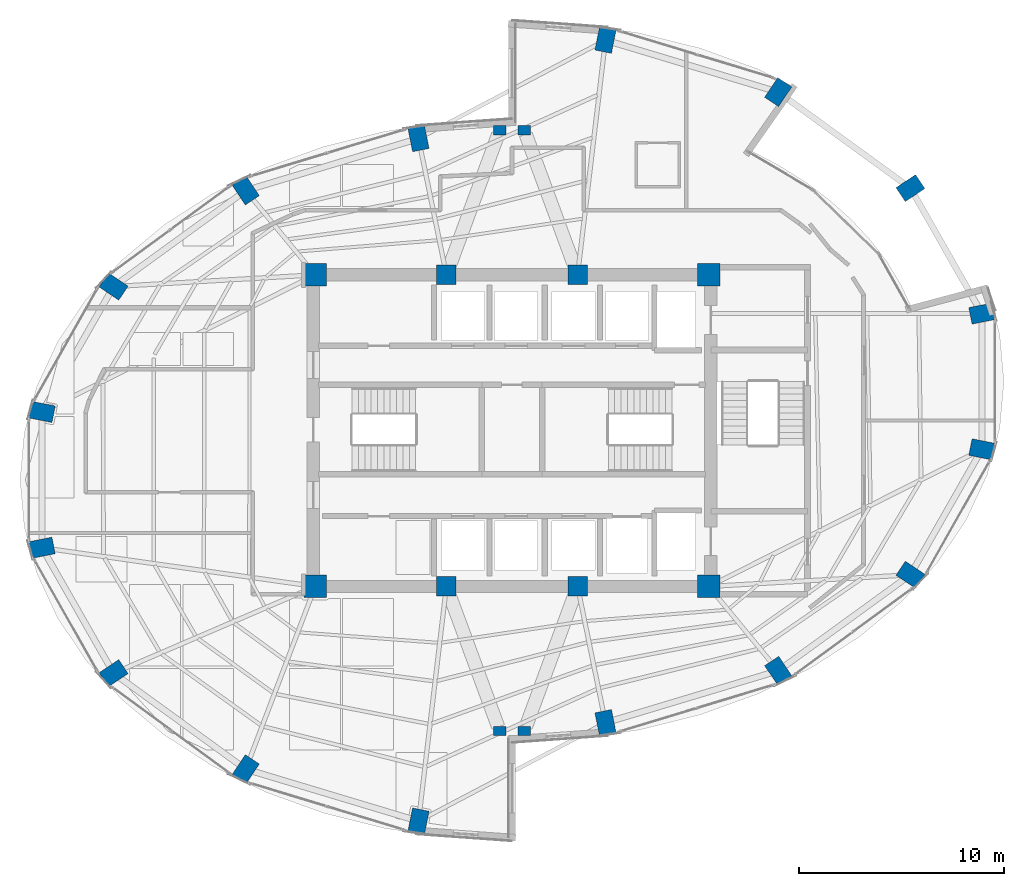
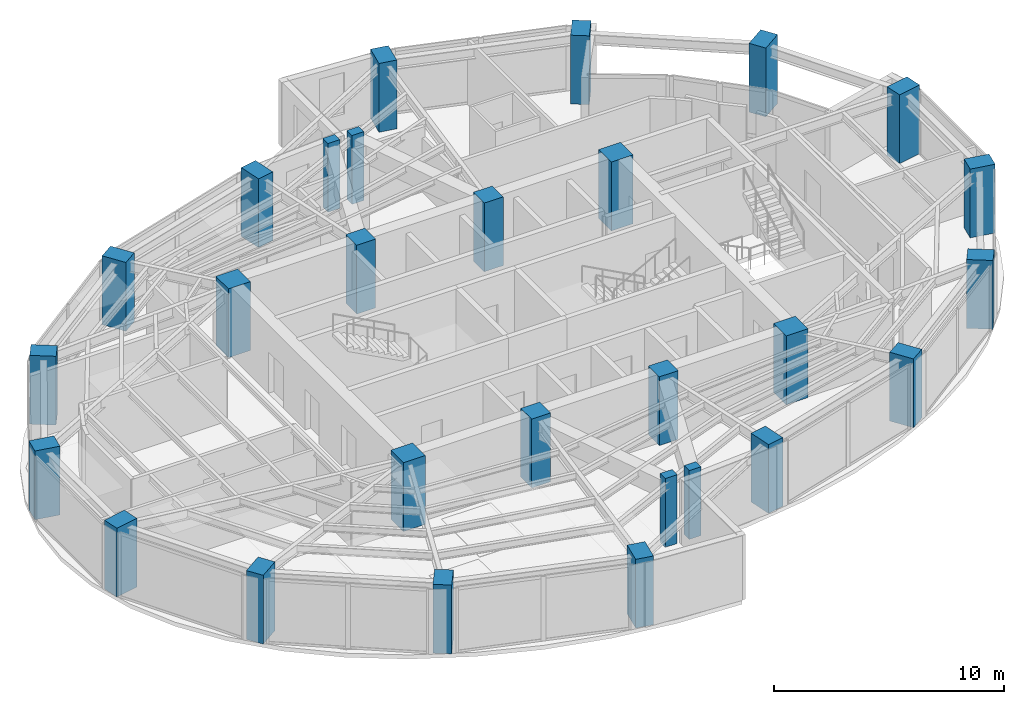
# One storey, part 1 of 19: 28 columns.
"""IFC4 building model written with IfcOpenShell, lengths in metres."""

from ifc_helpers import new_model, si_unit, direction, frame, origin, origin_2d, place, context, subcontext, project, spatial, rectangle, extrude, material, material_profile, profile_set, type_object, element, save


model = new_model("IFC4")

# Units and contexts
model_context = context("Model", 3, precision=1e-05, world=origin(), true_north=direction((0.0, 1.0)))
body_context = subcontext(model_context, "Body", "Model", "MODEL_VIEW")
ifc_project = project(units=[si_unit("LENGTHUNIT", "METRE"), si_unit("AREAUNIT", "SQUARE_METRE"), si_unit("VOLUMEUNIT", "CUBIC_METRE"), si_unit("PLANEANGLEUNIT", "RADIAN"), si_unit("MASSUNIT", "GRAM", prefix="KILO")], contexts=[model_context])

# Site, building, storey
site_placement = place(None, origin())
site = spatial("IfcSite", under=ifc_project, at=site_placement, CompositionType="ELEMENT")
building_placement = place(site_placement, origin())
building = spatial("IfcBuilding", under=site, at=building_placement, Name="Lazwardi Medical Tower", CompositionType="ELEMENT")
storey_placement = place(building_placement, frame((0.0, 0.0, 167.471923828125)))
storey = spatial("IfcBuildingStorey", under=building, at=storey_placement, Name="L43", CompositionType="ELEMENT", Elevation=167.471923828125)

# Columns
ifc_material_1 = material(Name="Concrete C80/95", Category="concrete")
ifc_material_profile_1 = material_profile(ifc_material_1, rectangle(XDim=1.10009765625, YDim=1.10009765625, at=origin_2d()), Name="RC 1100x1100")
ifc_profile_set_1 = profile_set([ifc_material_profile_1], Name="Concrete C80/95")
column_type_1 = type_object("IfcColumnType", Name="COL-CC-L", PredefinedType="COLUMN", material=ifc_profile_set_1)
for number, where, z_axis, x_axis, name in (
    (1, (26.39990234375, 20.39990234375, 0.0), (0.0, 0.0, 1.0), (1.0, 0.0, 0.0), "Core column CC-01 CC1 L43"),
    (2, (45.60009765625, 20.39990234375, 0.0), (0.0, 0.0, 1.0), (1.0, 0.0, 0.0), "Core column CC-01 CC4 L43"),
    (3, (45.60009765625, 35.60009765625, 0.0), (0.0, 0.0, 1.0), (1.0, 0.0, 0.0), "Core column CC-01 CC5 L43"),
    (4, (26.39990234375, 35.60009765625, 0.0), (0.0, 0.0, 1.0), (1.0, 0.0, 0.0), "Core column CC-01 CC8 L43"),
):
    element("IfcColumn", number, at=place(storey_placement, frame(where, z_axis=z_axis, x_axis=x_axis)), inside=storey, type_object=column_type_1, Name=name, PredefinedType="COLUMN", context=body_context, shape_type="SweptSolid", body=[
        extrude(rectangle(XDim=1.10009765625, YDim=1.10009765625, at=origin_2d()), origin(), (0.0, 0.0, 1.0), 3.648193359375),
    ])
ifc_material_2 = material(Name="Concrete C70/85", Category="concrete")
ifc_material_profile_2 = material_profile(ifc_material_2, rectangle(XDim=0.949951171875, YDim=0.949951171875, at=origin_2d()), Name="RC 950x950")
ifc_profile_set_2 = profile_set([ifc_material_profile_2], Name="Concrete C70/85")
column_type_2 = type_object("IfcColumnType", Name="COL-CC-M", PredefinedType="COLUMN", material=ifc_profile_set_2)
for number, where, z_axis, x_axis, name in (
    (5, (32.800048828125, 20.39990234375, 0.0), (0.0, 0.0, 1.0), (1.0, 0.0, 0.0), "Core column CC-02 CC2 L43"),
    (6, (39.199951171875, 20.39990234375, 0.0), (0.0, 0.0, 1.0), (1.0, 0.0, 0.0), "Core column CC-02 CC3 L43"),
    (7, (39.199951171875, 35.60009765625, 0.0), (0.0, 0.0, 1.0), (1.0, 0.0, 0.0), "Core column CC-02 CC6 L43"),
    (8, (32.800048828125, 35.60009765625, 0.0), (0.0, 0.0, 1.0), (1.0, 0.0, 0.0), "Core column CC-02 CC7 L43"),
):
    element("IfcColumn", number, at=place(storey_placement, frame(where, z_axis=z_axis, x_axis=x_axis)), inside=storey, type_object=column_type_2, Name=name, PredefinedType="COLUMN", context=body_context, shape_type="SweptSolid", body=[
        extrude(rectangle(XDim=0.949951171875, YDim=0.949951171875, at=origin_2d()), origin(), (0.0, 0.0, 1.0), 3.648193359375),
    ])
ifc_material_3 = material(Name="Concrete C60/75", Category="concrete")
ifc_material_profile_3 = material_profile(ifc_material_3, rectangle(XDim=1.14990234375, YDim=0.820068359375, at=origin_2d()), Name="CFT-RECT 1150x820")
ifc_profile_set_3 = profile_set([ifc_material_profile_3], Name="Concrete C60/75")
column_type_3 = type_object("IfcColumnType", Name="COL-MC-Z3", PredefinedType="COLUMN", material=ifc_profile_set_3)
for number, where, z_axis, x_axis, name in (
    (9, (40.560302734375, 13.751220703125, 0.0), (0.0, 0.0, 1.0), (0.195090322016, -0.980785280403, 0.0), "Mega column MC-05 M01 L43"),
    (10, (48.986572265625, 16.285888671875, 0.0), (0.0, 0.0, 1.0), (0.55557023302, -0.831469612303, 0.0), "Mega column MC-05 M02 L43"),
    (11, (55.435546875, 20.96923828125, 0.0), (0.0, 0.0, 1.0), (0.831469612303, -0.55557023302, 0.0), "Mega column MC-05 M03 L43"),
    (12, (58.92578125, 27.08837890625, 0.0), (0.0, 0.0, 1.0), (0.980785280403, -0.195090322016, 0.0), "Mega column MC-05 M04 L43"),
    (13, (58.92578125, 33.711669921875, 0.0), (0.0, 0.0, 1.0), (0.980785280403, 0.195090322016, 0.0), "Mega column MC-05 M05 L43"),
    (14, (55.435546875, 39.830810546875, 0.0), (0.0, 0.0, 1.0), (0.831469612303, 0.55557023302, 0.0), "Mega column MC-05 M06 L43"),
    (15, (48.986572265625, 44.51416015625, 0.0), (0.0, 0.0, 1.0), (0.55557023302, 0.831469612303, 0.0), "Mega column MC-05 M07 L43"),
    (16, (40.560302734375, 47.048828125, 0.0), (0.0, 0.0, 1.0), (0.195090322016, 0.980785280403, 0.0), "Mega column MC-05 M08 L43"),
    (17, (31.439697265625, 42.248779296875, 0.0), (0.0, 0.0, 1.0), (-0.195090322016, 0.980785280403, 0.0), "Mega column MC-05 M09 L43"),
    (18, (23.013427734375, 39.714111328125, 0.0), (0.0, 0.0, 1.0), (-0.55557023302, 0.831469612303, 0.0), "Mega column MC-05 M10 L43"),
    (19, (16.564453125, 35.03076171875, 0.0), (0.0, 0.0, 1.0), (-0.831469612303, 0.55557023302, 0.0), "Mega column MC-05 M11 L43"),
    (20, (13.07421875, 28.91162109375, 0.0), (0.0, 0.0, 1.0), (-0.980785280403, 0.195090322016, 0.0), "Mega column MC-05 M12 L43"),
    (21, (13.07421875, 22.288330078125, 0.0), (0.0, 0.0, 1.0), (-0.980785280403, -0.195090322016, 0.0), "Mega column MC-05 M13 L43"),
    (22, (16.564453125, 16.169189453125, 0.0), (0.0, 0.0, 1.0), (-0.831469612303, -0.55557023302, 0.0), "Mega column MC-05 M14 L43"),
    (23, (23.013427734375, 11.48583984375, 0.0), (0.0, 0.0, 1.0), (-0.55557023302, -0.831469612303, 0.0), "Mega column MC-05 M15 L43"),
    (24, (31.439697265625, 8.951171875, 0.0), (0.0, 0.0, 1.0), (-0.195090322016, -0.980785280403, 0.0), "Mega column MC-05 M16 L43"),
):
    element("IfcColumn", number, at=place(storey_placement, frame(where, z_axis=z_axis, x_axis=x_axis)), inside=storey, type_object=column_type_3, Name=name, PredefinedType="COLUMN", context=body_context, shape_type="SweptSolid", body=[
        extrude(rectangle(XDim=1.14990234375, YDim=0.820068359375, at=origin_2d()), origin(), (0.0, 0.0, 1.0), 3.648193359375),
    ])
ifc_material_profile_4 = material_profile(ifc_material_3, rectangle(XDim=0.60009765625, YDim=0.449951171875, at=origin_2d()), Name="RC 600x450")
ifc_profile_set_4 = profile_set([ifc_material_profile_4], Name="Concrete C60/75")
column_type_4 = type_object("IfcColumnType", Name="COL-PL-IW", PredefinedType="PILASTER", material=ifc_profile_set_4)
for number, where, z_axis, x_axis, name in (
    (25, (35.39990234375, 42.64990234375, 0.0), (0.0, 0.0, 1.0), (1.0, 0.0, 0.0), "Iwan pilaster column PL-C1 PL1 L43"),
    (26, (36.60009765625, 42.64990234375, 0.0), (0.0, 0.0, 1.0), (1.0, 0.0, 0.0), "Iwan pilaster column PL-C1 PL2 L43"),
    (27, (35.39990234375, 13.35009765625, 0.0), (0.0, 0.0, 1.0), (1.0, 0.0, 0.0), "Iwan pilaster column PL-C1 PL3 L43"),
    (28, (36.60009765625, 13.35009765625, 0.0), (0.0, 0.0, 1.0), (1.0, 0.0, 0.0), "Iwan pilaster column PL-C1 PL4 L43"),
):
    element("IfcColumn", number, at=place(storey_placement, frame(where, z_axis=z_axis, x_axis=x_axis)), inside=storey, type_object=column_type_4, Name=name, PredefinedType="PILASTER", context=body_context, shape_type="SweptSolid", body=[
        extrude(rectangle(XDim=0.60009765625, YDim=0.449951171875, at=origin_2d()), origin(), (0.0, 0.0, 1.0), 3.648193359375),
    ])

save(model, "model.ifc")
